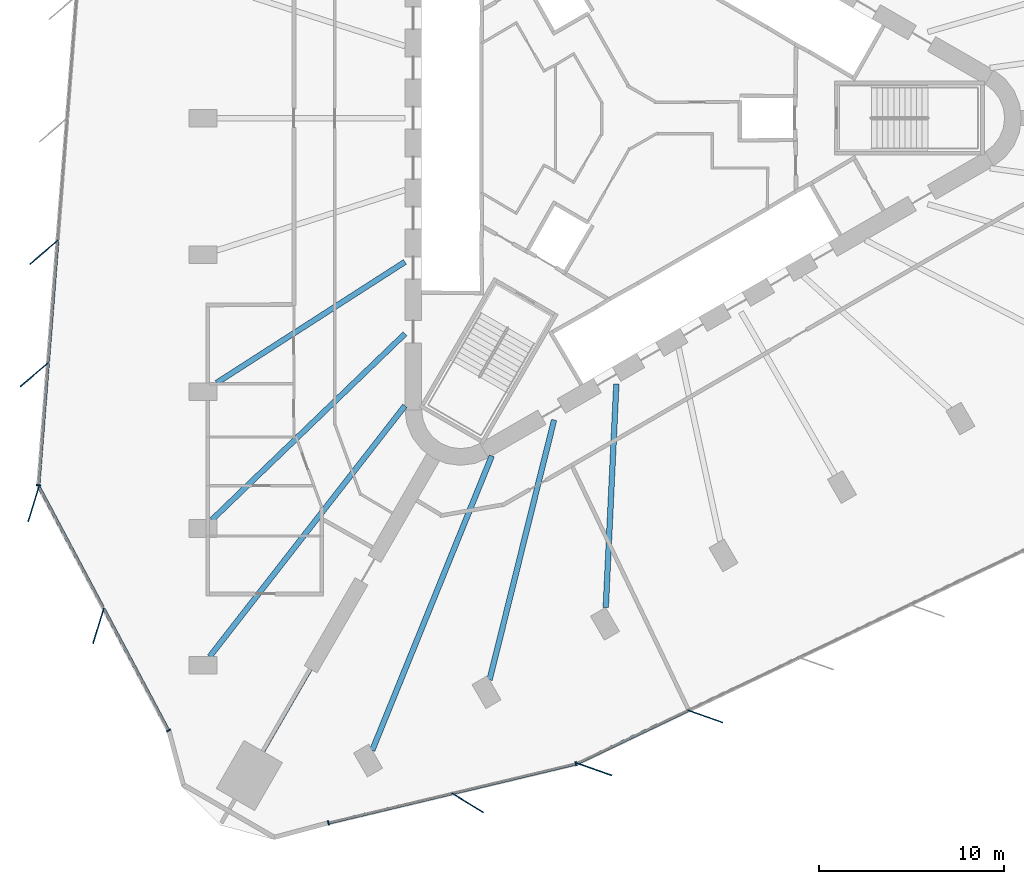
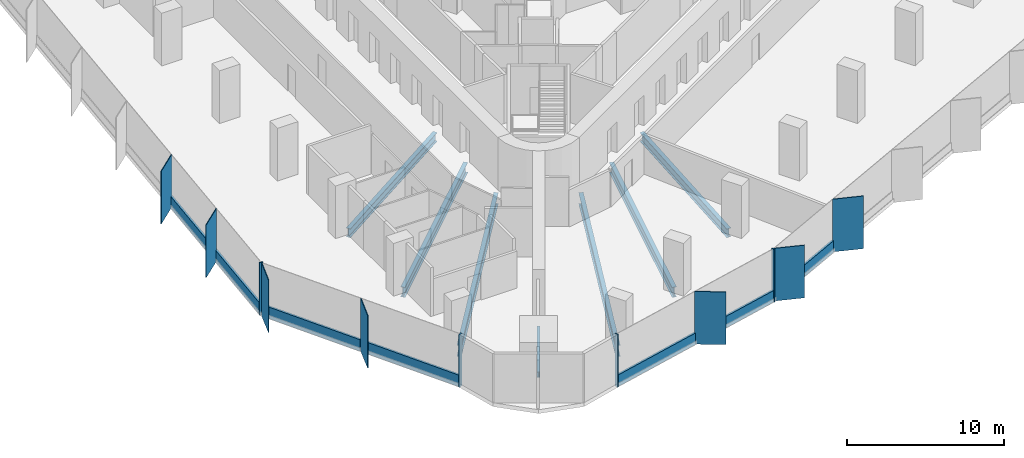
# One storey, part 2 of 15: 18 members, 7 beams, 4 elements without a shape of their own.
"""IFC4 building model written with IfcOpenShell, lengths in metres."""

import ifcopenshell
import ifcopenshell.guid

model = None  # the IFC model being written
_history = None  # IfcOwnerHistory: only IFC2X3 demands one
_inside = {}  # id of a spatial element -> (the spatial element, [elements in it])
_under = {}  # id of a project, library or spatial element -> (it, [spatial elements below it])
_declared = {}  # id of a project -> (the project, [libraries it declares])
_typed = {}  # id of a type object -> (the type object, [elements of that type])
_made_of = {}  # id of a material, layer set ... -> (it, [elements and type objects made of it])


def new_model(schema):
    """Start an empty IFC model of exactly this schema.

    Asked for "IFC4X3", IfcOpenShell would pick the latest addendum, in which some entities
    have other attributes; the version numbers below select the first issue.
    IFC2X3 requires an IfcOwnerHistory on every rooted entity: one is made here for all.
    """
    global model, _history
    if schema == "IFC4X3":
        model = ifcopenshell.file(schema_version=(4, 3, 0, 0))
    else:
        model = ifcopenshell.file(schema=schema)
    _inside.clear()
    _under.clear()
    _declared.clear()
    _typed.clear()
    _made_of.clear()
    _history = None
    if model.schema == "IFC2X3":
        org = make("IfcOrganization", Name="unknown")
        user = make(
            "IfcPersonAndOrganization",
            ThePerson=make("IfcPerson", FamilyName="unknown"),
            TheOrganization=org,
        )
        app = make(
            "IfcApplication",
            ApplicationDeveloper=org,
            Version="unknown",
            ApplicationFullName="unknown",
            ApplicationIdentifier="unknown",
        )
        _history = make(
            "IfcOwnerHistory",
            OwningUser=user,
            OwningApplication=app,
            ChangeAction="ADDED",
            CreationDate=0,
        )
    return model


def make(cls, **values):
    """One entity of the class cls with the attributes given. An attribute that is None is left unset."""
    return model.create_entity(
        cls, **{name: value for name, value in values.items() if value is not None}
    )


def rooted(cls, **values):
    """An entity with a GlobalId (a new one), such as an element, a storey or a relation."""
    return make(cls, GlobalId=ifcopenshell.guid.new(), OwnerHistory=_history, **values)


def si_unit(unit_type, name, prefix=None):
    """IfcSIUnit, for example si_unit("LENGTHUNIT", "METRE", prefix="MILLI")."""
    return make("IfcSIUnit", UnitType=unit_type, Prefix=prefix, Name=name)


def assignment(units):
    """IfcUnitAssignment: the units of a project."""
    return None if units is None else make("IfcUnitAssignment", Units=units)


def point(xyz):
    """IfcCartesianPoint."""
    return None if xyz is None else make("IfcCartesianPoint", Coordinates=xyz)


def direction(xyz):
    """IfcDirection."""
    return None if xyz is None else make("IfcDirection", DirectionRatios=xyz)


def frame(location, z_axis=None, x_axis=None):
    """IfcAxis2Placement3D, a coordinate frame: its origin and axes. An axis left out is left unset."""
    return make(
        "IfcAxis2Placement3D",
        Location=point(location),
        Axis=direction(z_axis),
        RefDirection=direction(x_axis),
    )


def frame_2d(location, x_axis=None):
    """IfcAxis2Placement2D, a coordinate frame in the plane: its origin and x axis."""
    return make(
        "IfcAxis2Placement2D", Location=point(location), RefDirection=direction(x_axis)
    )


def origin():
    """The frame at (0, 0, 0) with its axes left unset."""
    return frame((0.0, 0.0, 0.0))


def origin_2d():
    """The frame at (0, 0) in the plane with its x axis left unset."""
    return frame_2d((0.0, 0.0))


def place(relative_to, where):
    """IfcLocalPlacement: puts the frame where relative to a parent placement (None: the world)."""
    return make(
        "IfcLocalPlacement", PlacementRelTo=relative_to, RelativePlacement=where
    )


def context(
    kind, dimensions, precision=None, world=None, true_north=None, identifier=None
):
    """IfcGeometricRepresentationContext, for example the 3D "Model" context."""
    return make(
        "IfcGeometricRepresentationContext",
        ContextIdentifier=identifier,
        ContextType=kind,
        CoordinateSpaceDimension=dimensions,
        Precision=precision,
        WorldCoordinateSystem=world,
        TrueNorth=true_north,
    )


def subcontext(parent, identifier, kind, view, scale=None):
    """IfcGeometricRepresentationSubContext, for example "Body" below "Model"."""
    return make(
        "IfcGeometricRepresentationSubContext",
        ContextIdentifier=identifier,
        ContextType=kind,
        ParentContext=parent,
        TargetScale=scale,
        TargetView=view,
    )


def project(units=None, contexts=None):
    """IfcProject with its units and contexts."""
    return rooted(
        "IfcProject",
        Name="project",
        RepresentationContexts=contexts,
        UnitsInContext=assignment(units),
    )


def spatial(cls, under=None, at=None, **own):
    """A site, building, storey or space (cls), placed at a placement, below another one or the project."""
    s = rooted(cls, ObjectPlacement=at, **own)
    if under is not None:
        _under.setdefault(under.id(), (under, []))[1].append(s)
    return s


def profile(cls, at=None, kind="AREA", **sizes):
    """A parametric profile (cls). Its sizes go by their IFC names, for example OverallWidth=200.0."""
    return make(cls, ProfileType=kind, Position=at, **sizes)


def rectangle(**sizes):
    """IfcRectangleProfileDef."""
    return profile("IfcRectangleProfileDef", **sizes)


def i_section(**sizes):
    """IfcIShapeProfileDef."""
    return profile("IfcIShapeProfileDef", **sizes)


def extrude(swept, where, along, depth):
    """IfcExtrudedAreaSolid: the profile swept, set in the frame where, extruded along a direction by depth."""
    return make(
        "IfcExtrudedAreaSolid",
        SweptArea=swept,
        Position=where,
        ExtrudedDirection=direction(along),
        Depth=depth,
    )


def shape(context_of_items, identifier, shape_type, items):
    """IfcShapeRepresentation: the items that make up one representation, for example the "Body"."""
    return make(
        "IfcShapeRepresentation",
        ContextOfItems=context_of_items,
        RepresentationIdentifier=identifier,
        RepresentationType=shape_type,
        Items=items,
    )


def material(Name=None, Category=None):
    """IfcMaterial."""
    return make("IfcMaterial", Name=Name, Category=Category)


def material_profile(
    of_material, cross_section, Name=None, Category=None, Priority=None
):
    """IfcMaterialProfile: a cross section and its material."""
    return make(
        "IfcMaterialProfile",
        Name=Name,
        Material=of_material,
        Profile=cross_section,
        Priority=Priority,
        Category=Category,
    )


def profile_set(profiles, Name=None, composite=None):
    """IfcMaterialProfileSet."""
    return make(
        "IfcMaterialProfileSet",
        Name=Name,
        MaterialProfiles=profiles,
        CompositeProfile=composite,
    )


def made_of(thing, what):
    """Note that an element or type object is made of a material, layer set ...; save() writes the relation."""
    if what is not None:
        _made_of.setdefault(what.id(), (what, []))[1].append(thing)
    return thing


def type_object(cls, material=None, **own):
    """A type object (cls), such as IfcWallType, which elements share."""
    return made_of(rooted(cls, **own), material)


def element(
    cls,
    number,
    at=None,
    inside=None,
    cuts=None,
    type_object=None,
    material=None,
    context=None,
    identifier="Body",
    shape_type=None,
    held_by="IfcProductDefinitionShape",
    body=None,
    shapes=None,
    **own,
):
    """One element of the class cls, such as IfcWall. Its Tag is "e" and its number.

    at: its placement. inside: the storey or other place that contains it. cuts: it is an
    opening in that element (IfcRelVoidsElement). A single representation is given by context,
    identifier, shape_type and body (its items); several are given by shapes. held_by: the class
    of the entity that holds the representations. save() writes the other relations.
    """
    e = rooted(cls, Tag="e%d" % number, ObjectPlacement=at, **own)
    if body is not None:
        shapes = [shape(context, identifier, shape_type, body)]
    if shapes is not None:
        e.Representation = make(held_by, Representations=shapes)
    if inside is not None:
        _inside.setdefault(inside.id(), (inside, []))[1].append(e)
    if cuts is not None:
        rooted(
            "IfcRelVoidsElement", RelatingBuildingElement=cuts, RelatedOpeningElement=e
        )
    if type_object is not None:
        _typed.setdefault(type_object.id(), (type_object, []))[1].append(e)
    return made_of(e, material)


def aggregate(whole, parts):
    """IfcRelAggregates: a whole, such as a stair, and the parts it consists of."""
    return rooted("IfcRelAggregates", RelatingObject=whole, RelatedObjects=parts)


def save(model, path):
    """Write the relations noted so far, then the file.

    IfcRelAggregates (storeys below a building ...), IfcRelContainedInSpatialStructure (elements
    in a storey), IfcRelDefinesByType, IfcRelAssociatesMaterial and IfcRelDeclares: one each for
    every whole, place, type object, material and project.
    """
    for whole, parts in _under.values():
        aggregate(whole, parts)
    for where, things in _inside.values():
        rooted(
            "IfcRelContainedInSpatialStructure",
            RelatedElements=things,
            RelatingStructure=where,
        )
    for kind, things in _typed.values():
        rooted("IfcRelDefinesByType", RelatedObjects=things, RelatingType=kind)
    for what, things in _made_of.values():
        rooted("IfcRelAssociatesMaterial", RelatedObjects=things, RelatingMaterial=what)
    for by, libraries in _declared.values():
        rooted("IfcRelDeclares", RelatingContext=by, RelatedDefinitions=libraries)
    model.write(path)


model = new_model("IFC4")

# Units and contexts
model_context = context("Model", 3, precision=1e-05, world=origin(), true_north=direction((0.0, 1.0)))
body_context = subcontext(model_context, "Body", "Model", "MODEL_VIEW")
ifc_project = project(units=[si_unit("LENGTHUNIT", "METRE"), si_unit("AREAUNIT", "SQUARE_METRE"), si_unit("VOLUMEUNIT", "CUBIC_METRE"), si_unit("PLANEANGLEUNIT", "RADIAN"), si_unit("MASSUNIT", "GRAM", prefix="KILO")], contexts=[model_context])

# Site, building, storey
site_placement = place(None, origin())
site = spatial("IfcSite", under=ifc_project, at=site_placement, CompositionType="ELEMENT")
building_placement = place(site_placement, origin())
building = spatial("IfcBuilding", under=site, at=building_placement, Name="Tanit Gate Tower", CompositionType="ELEMENT")
storey_placement = place(building_placement, frame((0.0, 0.0, 102.89990234375)))
storey = spatial("IfcBuildingStorey", under=building, at=storey_placement, Name="L21", CompositionType="ELEMENT", Elevation=102.89990234375)

# Curtain wall, members
ifc_material_1 = material(Name="Aluminium bronze anodised and glass", Category="aluminium")
curtain_wall_type = type_object("IfcCurtainWallType", Name="Curtain wall typical low", PredefinedType="NOTDEFINED", material=ifc_material_1)
curtain_wall_1_placement = place(storey_placement, origin())
curtain_wall_1 = element("IfcCurtainWall", 1, at=curtain_wall_1_placement, inside=storey, type_object=curtain_wall_type, Name="Curtain wall L21 W2", PredefinedType="NOTDEFINED")
ifc_material_2 = material(Name="Aluminium bronze anodised", Category="aluminium")
ifc_material_profile_1 = material_profile(ifc_material_2, rectangle(XDim=2.0, YDim=0.055908203125, at=origin_2d()), Name="56x2000 bronze fin mullion")
ifc_profile_set_1 = profile_set([ifc_material_profile_1], Name="Aluminium bronze anodised")
member_type_1 = type_object("IfcMemberType", Name="FIN MULLION 56x2000 bronze", PredefinedType="MULLION", material=ifc_profile_set_1)
member_1_placement = place(storey_placement, frame((-31.606689453125, -7.2470703125, -0.2998046875), z_axis=(0.0, 0.0, 1.0), x_axis=(0.760001580735, 0.649921223903, 0.0)))
member_1 = element("IfcMember", 2, at=member_1_placement, type_object=member_type_1, Name="Fin mullion L21 W2.5", PredefinedType="MULLION", context=body_context, shape_type="SweptSolid", body=[
    extrude(rectangle(XDim=2.0, YDim=0.055908203125, at=origin_2d()), origin(), (0.0, 0.0, 1.0), 4.099853515625),
])
member_2_placement = place(storey_placement, frame((-32.123046875, -13.860595703125, -0.2998046875), z_axis=(0.0, 0.0, 1.0), x_axis=(0.760001580735, 0.649921223903, 0.0)))
member_2 = element("IfcMember", 3, at=member_2_placement, type_object=member_type_1, Name="Fin mullion L21 W2.6", PredefinedType="MULLION", context=body_context, shape_type="SweptSolid", body=[
    extrude(rectangle(XDim=2.0, YDim=0.055908203125, at=origin_2d()), origin(), (0.0, 0.0, 1.0), 4.099853515625),
])

curtain_wall_2_placement = place(storey_placement, origin())
curtain_wall_2 = element("IfcCurtainWall", 4, at=curtain_wall_2_placement, inside=storey, type_object=curtain_wall_type, Name="Curtain wall L21 W3", PredefinedType="NOTDEFINED")
member_3_placement = place(storey_placement, frame((-32.166748046875, -20.8486328125, -0.2998046875), z_axis=(0.0, 0.0, 1.0), x_axis=(0.292453863033, 0.956279633788, 0.0)))
member_3 = element("IfcMember", 5, at=member_3_placement, type_object=member_type_1, Name="Fin mullion L21 W3.1", PredefinedType="MULLION", context=body_context, shape_type="SweptSolid", body=[
    extrude(rectangle(XDim=2.0, YDim=0.055908203125, at=origin_2d()), origin(), (0.0, 0.0, 1.0), 4.099853515625),
])
member_4_placement = place(storey_placement, frame((-28.663330078125, -27.438720703125, -0.2998046875), z_axis=(0.0, 0.0, 1.0), x_axis=(0.292453863033, 0.956279633788, 0.0)))
member_4 = element("IfcMember", 6, at=member_4_placement, type_object=member_type_1, Name="Fin mullion L21 W3.2", PredefinedType="MULLION", context=body_context, shape_type="SweptSolid", body=[
    extrude(rectangle(XDim=2.0, YDim=0.055908203125, at=origin_2d()), origin(), (0.0, 0.0, 1.0), 4.099853515625),
])

# Curtain wall, member
curtain_wall_3_placement = place(storey_placement, origin())
curtain_wall_3 = element("IfcCurtainWall", 7, at=curtain_wall_3_placement, inside=storey, type_object=curtain_wall_type, Name="Curtain wall L21 SE1", PredefinedType="NOTDEFINED")
member_5_placement = place(storey_placement, frame((-8.71484375, -36.99755859375, -0.2998046875), z_axis=(0.0, 0.0, 1.0), x_axis=(-0.852082941543, 0.52340678323, 0.0)))
member_5 = element("IfcMember", 8, at=member_5_placement, type_object=member_type_1, Name="Fin mullion L21 SE1.2", PredefinedType="MULLION", context=body_context, shape_type="SweptSolid", body=[
    extrude(rectangle(XDim=2.0, YDim=0.055908203125, at=origin_2d()), origin(), (0.0, 0.0, 1.0), 4.099853515625),
])

# Curtain wall, members
curtain_wall_4_placement = place(storey_placement, origin())
curtain_wall_4 = element("IfcCurtainWall", 9, at=curtain_wall_4_placement, inside=storey, type_object=curtain_wall_type, Name="Curtain wall L21 SE2", PredefinedType="NOTDEFINED")
member_6_placement = place(storey_placement, frame((-1.86328125, -35.18701171875, -0.2998046875), z_axis=(0.0, 0.0, 1.0), x_axis=(-0.942849080727, 0.333220063881, 0.0)))
member_6 = element("IfcMember", 10, at=member_6_placement, type_object=member_type_1, Name="Fin mullion L21 SE2.1", PredefinedType="MULLION", context=body_context, shape_type="SweptSolid", body=[
    extrude(rectangle(XDim=2.0, YDim=0.055908203125, at=origin_2d()), origin(), (0.0, 0.0, 1.0), 4.099853515625),
])
member_7_placement = place(storey_placement, frame((4.122314453125, -32.327392578125, -0.2998046875), z_axis=(0.0, 0.0, 1.0), x_axis=(-0.942849080727, 0.333220063881, 0.0)))
member_7 = element("IfcMember", 11, at=member_7_placement, type_object=member_type_1, Name="Fin mullion L21 SE2.2", PredefinedType="MULLION", context=body_context, shape_type="SweptSolid", body=[
    extrude(rectangle(XDim=2.0, YDim=0.055908203125, at=origin_2d()), origin(), (0.0, 0.0, 1.0), 4.099853515625),
])

# Member
ifc_material_3 = material(Name="Aluminium bronze anodised", Category="aluminium")
ifc_material_profile_2 = material_profile(ifc_material_3, rectangle(XDim=0.239990234375, YDim=0.080078125, at=origin_2d()), Name="80x240 bronze mullion")
ifc_profile_set_2 = profile_set([ifc_material_profile_2], Name="Aluminium bronze anodised")
member_type_2 = type_object("IfcMemberType", Name="Mullion 80x240 typical low", PredefinedType="MULLION", material=ifc_profile_set_2)
member_8_placement = place(storey_placement, frame((-31.896484375, -19.8388671875, -0.2998046875), z_axis=(0.0, 0.0, 1.0), x_axis=(0.996965976109, -0.077838566791, 0.0)))
member_8 = element("IfcMember", 12, at=member_8_placement, type_object=member_type_2, Name="Mullion L21 W2.7", PredefinedType="MULLION", context=body_context, shape_type="SweptSolid", body=[
    extrude(rectangle(XDim=0.239990234375, YDim=0.080078125, at=origin_2d()), origin(), (0.0, 0.0, 1.0), 4.099853515625),
])

member_9_placement = place(storey_placement, frame((-24.874267578125, -33.093994140625, -0.2998046875), z_axis=(0.0, 0.0, 1.0), x_axis=(0.882987923497, 0.469395704027, 0.0)))
member_9 = element("IfcMember", 13, at=member_9_placement, type_object=member_type_2, Name="Mullion L21 W3.3", PredefinedType="MULLION", context=body_context, shape_type="SweptSolid", body=[
    extrude(rectangle(XDim=0.239990234375, YDim=0.080078125, at=origin_2d()), origin(), (0.0, 0.0, 1.0), 4.099853515625),
])

member_10_placement = place(storey_placement, frame((-16.23583984375, -38.083984375, -0.2998046875), z_axis=(0.0, 0.0, 1.0), x_axis=(-0.232409140358, 0.972618111839, 0.0)))
member_10 = element("IfcMember", 14, at=member_10_placement, type_object=member_type_2, Name="Mullion L21 SE1.1", PredefinedType="MULLION", context=body_context, shape_type="SweptSolid", body=[
    extrude(rectangle(XDim=0.239990234375, YDim=0.080078125, at=origin_2d()), origin(), (0.0, 0.0, 1.0), 4.099853515625),
])

member_11_placement = place(storey_placement, frame((-2.859619140625, -34.8876953125, -0.2998046875), z_axis=(0.0, 0.0, 1.0), x_axis=(-0.232409140358, 0.972618111839, 0.0)))
member_11 = element("IfcMember", 15, at=member_11_placement, type_object=member_type_2, Name="Mullion L21 SE1.3", PredefinedType="MULLION", context=body_context, shape_type="SweptSolid", body=[
    extrude(rectangle(XDim=0.239990234375, YDim=0.080078125, at=origin_2d()), origin(), (0.0, 0.0, 1.0), 4.099853515625),
])

# Beams
ifc_material_4 = material(Name="Steel S355", Category="steel")
ifc_material_profile_3 = material_profile(ifc_material_4, i_section(OverallWidth=0.300048828125, OverallDepth=0.68994140625, WebThickness=0.014404296875, FlangeThickness=0.027099609375, FilletRadius=0.027099609375, at=origin_2d()), Name="HEA 700")
ifc_profile_set_3 = profile_set([ifc_material_profile_3], Name="Steel S355")
beam_type_1 = type_object("IfcBeamType", Name="RADIAL GIRDER HEA 700 S355", PredefinedType="BEAM", material=ifc_profile_set_3)
for number, where, z_axis, x_axis, name in (
    (16, (-22.2783203125, -14.307861328125, -0.64501953125), (0.841413200644, 0.540392288788, 0.0), (-0.540392288788, 0.841413200644, 0.0), "RADIAL GIRDER"),
    (17, (-1.251708984375, -26.447509765625, -0.64501953125), (0.047276464158, 0.998881842831, 0.0), (-0.998881842831, 0.047276464158, 0.0), "RADIAL GIRDER"),
):
    element("IfcBeam", number, at=place(storey_placement, frame(where, z_axis=z_axis, x_axis=x_axis)), inside=storey, type_object=beam_type_1, Name=name, PredefinedType="BEAM", context=body_context, shape_type="SweptSolid", body=[
        extrude(i_section(OverallWidth=0.300048828125, OverallDepth=0.68994140625, WebThickness=0.014404296875, FlangeThickness=0.027099609375, FilletRadius=0.027099609375, at=origin_2d()), origin(), (0.0, 0.0, 1.0), 12.09423828125),
    ])
ifc_material_5 = material(Name="Steel S355", Category="steel")
ifc_material_profile_4 = material_profile(ifc_material_5, i_section(OverallWidth=0.300048828125, OverallDepth=0.7900390625, WebThickness=0.014892578125, FlangeThickness=0.028076171875, FilletRadius=0.030029296875, at=origin_2d()), Name="HEA 800")
ifc_profile_set_4 = profile_set([ifc_material_profile_4], Name="Steel S355")
beam_type_2 = type_object("IfcBeamType", Name="RADIAL GIRDER HEA 800 S355", PredefinedType="BEAM", material=ifc_profile_set_4)
beam_1_placement = place(storey_placement, frame((-22.52490234375, -21.69921875, -0.69482421875), z_axis=(0.720183780424, 0.693783339677, 0.0), x_axis=(-0.693783339677, 0.720183780424, 0.0)))
element("IfcBeam", 18, at=beam_1_placement, inside=storey, type_object=beam_type_2, Name="RADIAL GIRDER", PredefinedType="BEAM", context=body_context, shape_type="SweptSolid", body=[
    extrude(i_section(OverallWidth=0.300048828125, OverallDepth=0.7900390625, WebThickness=0.014892578125, FlangeThickness=0.028076171875, FilletRadius=0.030029296875, at=origin_2d()), origin(), (0.0, 0.0, 1.0), 14.472412109375),
])
beam_2_placement = place(storey_placement, frame((-7.52978515625, -30.356689453125, -0.69482421875), z_axis=(0.240757007067, 0.970585423107, 0.0), x_axis=(-0.970585423107, 0.240757007067, 0.0)))
element("IfcBeam", 19, at=beam_2_placement, inside=storey, type_object=beam_type_2, Name="RADIAL GIRDER", PredefinedType="BEAM", context=body_context, shape_type="SweptSolid", body=[
    extrude(i_section(OverallWidth=0.300048828125, OverallDepth=0.7900390625, WebThickness=0.014892578125, FlangeThickness=0.028076171875, FilletRadius=0.030029296875, at=origin_2d()), origin(), (0.0, 0.0, 1.0), 14.47265625),
])
ifc_material_6 = material(Name="Steel S355", Category="steel")
ifc_material_profile_5 = material_profile(ifc_material_6, i_section(OverallWidth=0.300048828125, OverallDepth=0.889892578125, WebThickness=0.01611328125, FlangeThickness=0.030029296875, FilletRadius=0.030029296875, at=origin_2d()), Name="HEA 900")
ifc_profile_set_5 = profile_set([ifc_material_profile_5], Name="Steel S355")
beam_type_3 = type_object("IfcBeamType", Name="RADIAL GIRDER HEA 900 S355", PredefinedType="BEAM", material=ifc_profile_set_5)
beam_3_placement = place(storey_placement, frame((-22.648193359375, -29.0908203125, -0.744873046875), z_axis=(0.614312702857, 0.789062673752, 0.0), x_axis=(-0.789062673752, 0.614312702857, 0.0)))
element("IfcBeam", 20, at=beam_3_placement, inside=storey, type_object=beam_type_3, Name="RADIAL GIRDER", PredefinedType="BEAM", context=body_context, shape_type="SweptSolid", body=[
    extrude(i_section(OverallWidth=0.300048828125, OverallDepth=0.889892578125, WebThickness=0.01611328125, FlangeThickness=0.030029296875, FilletRadius=0.030029296875, at=origin_2d()), origin(), (0.0, 0.0, 1.0), 17.16748046875),
])
beam_4_placement = place(storey_placement, frame((-13.869384765625, -34.1591796875, -0.744873046875), z_axis=(0.376193939904, 0.926540943283, 0.0), x_axis=(-0.926540943283, 0.376193939904, 0.0)))
element("IfcBeam", 21, at=beam_4_placement, inside=storey, type_object=beam_type_3, Name="RADIAL GIRDER", PredefinedType="BEAM", context=body_context, shape_type="SweptSolid", body=[
    extrude(i_section(OverallWidth=0.300048828125, OverallDepth=0.889892578125, WebThickness=0.01611328125, FlangeThickness=0.030029296875, FilletRadius=0.030029296875, at=origin_2d()), origin(), (0.0, 0.0, 1.0), 17.167236328125),
])
ifc_material_7 = material(Name="Steel S355", Category="steel")
ifc_material_profile_6 = material_profile(ifc_material_7, i_section(OverallWidth=0.179931640625, OverallDepth=0.39990234375, WebThickness=0.008544921875, FlangeThickness=0.013427734375, FilletRadius=0.02099609375, at=origin_2d()), Name="IPE 400")
ifc_profile_set_6 = profile_set([ifc_material_profile_6], Name="Steel S355")
beam_type_4 = type_object("IfcBeamType", Name="RADIAL GIRDER IPE 400 S355", PredefinedType="BEAM", material=ifc_profile_set_6)
beam_5_placement = place(storey_placement, frame((-19.760498046875, -34.22607421875, -0.5), z_axis=(0.499998470576, 0.866026286796, 0.0), x_axis=(-0.866026286796, 0.499998470576, 0.0)))
element("IfcBeam", 22, at=beam_5_placement, inside=storey, type_object=beam_type_4, Name="RADIAL GIRDER", PredefinedType="BEAM", context=body_context, shape_type="SweptSolid", body=[
    extrude(i_section(OverallWidth=0.179931640625, OverallDepth=0.39990234375, WebThickness=0.008544921875, FlangeThickness=0.013427734375, FilletRadius=0.02099609375, at=origin_2d()), origin(), (0.0, 0.0, 1.0), 5.1298828125),
])

# Member
ifc_material_8 = material(Name="Aluminium bronze anodised", Category="aluminium")
ifc_material_profile_7 = material_profile(ifc_material_8, rectangle(XDim=0.159912109375, YDim=0.89990234375, at=origin_2d()), Name="160x900 bronze transom")
ifc_profile_set_7 = profile_set([ifc_material_profile_7], Name="Aluminium bronze anodised")
member_type_3 = type_object("IfcMemberType", Name="Transom 160x900 typical low", PredefinedType="USERDEFINED", material=ifc_profile_set_7)
member_12_placement = place(storey_placement, frame((-30.866943359375, -6.651611328125, 0.150146484375), z_axis=(-0.077821712604, -0.996967291864, 0.0), x_axis=(0.996967291864, -0.077821712604, 0.0)))
member_12 = element("IfcMember", 23, at=member_12_placement, type_object=member_type_3, Name="Transom L21 W2.5", ObjectType="TRANSOM", PredefinedType="USERDEFINED", context=body_context, shape_type="SweptSolid", body=[
    extrude(rectangle(XDim=0.159912109375, YDim=0.89990234375, at=origin_2d()), origin(), (0.0, 0.0, 1.0), 6.553466796875),
])

member_13_placement = place(storey_placement, frame((-31.38330078125, -13.26513671875, 0.150146484375), z_axis=(-0.077821712604, -0.996967291864, 0.0), x_axis=(0.996967291864, -0.077821712604, 0.0)))
member_13 = element("IfcMember", 24, at=member_13_placement, type_object=member_type_3, Name="Transom L21 W2.6", ObjectType="TRANSOM", PredefinedType="USERDEFINED", context=body_context, shape_type="SweptSolid", body=[
    extrude(rectangle(XDim=0.159912109375, YDim=0.89990234375, at=origin_2d()), origin(), (0.0, 0.0, 1.0), 6.553466796875),
])

aggregate(curtain_wall_1, [member_1, member_2, member_8, member_12, member_13])

member_14_placement = place(storey_placement, frame((-31.862060546875, -19.94921875, 0.150146484375), z_axis=(0.469400190999, -0.882985538211, 0.0), x_axis=(0.882985538211, 0.469400190999, 0.0)))
member_14 = element("IfcMember", 25, at=member_14_placement, type_object=member_type_3, Name="Transom L21 W3.1", ObjectType="TRANSOM", PredefinedType="USERDEFINED", context=body_context, shape_type="SweptSolid", body=[
    extrude(rectangle(XDim=0.159912109375, YDim=0.89990234375, at=origin_2d()), origin(), (0.0, 0.0, 1.0), 7.383544921875),
])

member_15_placement = place(storey_placement, frame((-28.35888671875, -26.539306640625, 0.150146484375), z_axis=(0.469413896188, -0.882978252318, 0.0), x_axis=(0.882978252318, 0.469413896188, 0.0)))
member_15 = element("IfcMember", 26, at=member_15_placement, type_object=member_type_3, Name="Transom L21 W3.2", ObjectType="TRANSOM", PredefinedType="USERDEFINED", context=body_context, shape_type="SweptSolid", body=[
    extrude(rectangle(XDim=0.159912109375, YDim=0.89990234375, at=origin_2d()), origin(), (0.0, 0.0, 1.0), 7.38330078125),
])

aggregate(curtain_wall_2, [member_3, member_4, member_9, member_14, member_15])

member_16_placement = place(storey_placement, frame((-16.19677734375, -38.07470703125, 0.150146484375), z_axis=(0.972615091914, 0.232421778197, 0.0), x_axis=(-0.232421778197, 0.972615091914, 0.0)))
member_16 = element("IfcMember", 27, at=member_16_placement, type_object=member_type_3, Name="Transom L21 SE1.1", ObjectType="TRANSOM", PredefinedType="USERDEFINED", context=body_context, shape_type="SweptSolid", body=[
    extrude(rectangle(XDim=0.159912109375, YDim=0.89990234375, at=origin_2d()), origin(), (0.0, 0.0, 1.0), 6.796142578125),
])

member_17_placement = place(storey_placement, frame((-9.5087890625, -36.4765625, 0.150146484375), z_axis=(0.972615091914, 0.232421778197, 0.0), x_axis=(-0.232421778197, 0.972615091914, 0.0)))
member_17 = element("IfcMember", 28, at=member_17_placement, type_object=member_type_3, Name="Transom L21 SE1.2", ObjectType="TRANSOM", PredefinedType="USERDEFINED", context=body_context, shape_type="SweptSolid", body=[
    extrude(rectangle(XDim=0.159912109375, YDim=0.89990234375, at=origin_2d()), origin(), (0.0, 0.0, 1.0), 6.796142578125),
])

aggregate(curtain_wall_3, [member_10, member_5, member_11, member_16, member_17])

member_18_placement = place(storey_placement, frame((-2.74853515625, -34.843994140625, 0.150146484375), z_axis=(0.902322009414, 0.4310626304, 0.0), x_axis=(-0.4310626304, 0.902322009414, 0.0)))
member_18 = element("IfcMember", 29, at=member_18_placement, type_object=member_type_3, Name="Transom L21 SE2.1", ObjectType="TRANSOM", PredefinedType="USERDEFINED", context=body_context, shape_type="SweptSolid", body=[
    extrude(rectangle(XDim=0.159912109375, YDim=0.89990234375, at=origin_2d()), origin(), (0.0, 0.0, 1.0), 6.553466796875),
])

aggregate(curtain_wall_4, [member_6, member_7, member_18])

save(model, "model.ifc")
